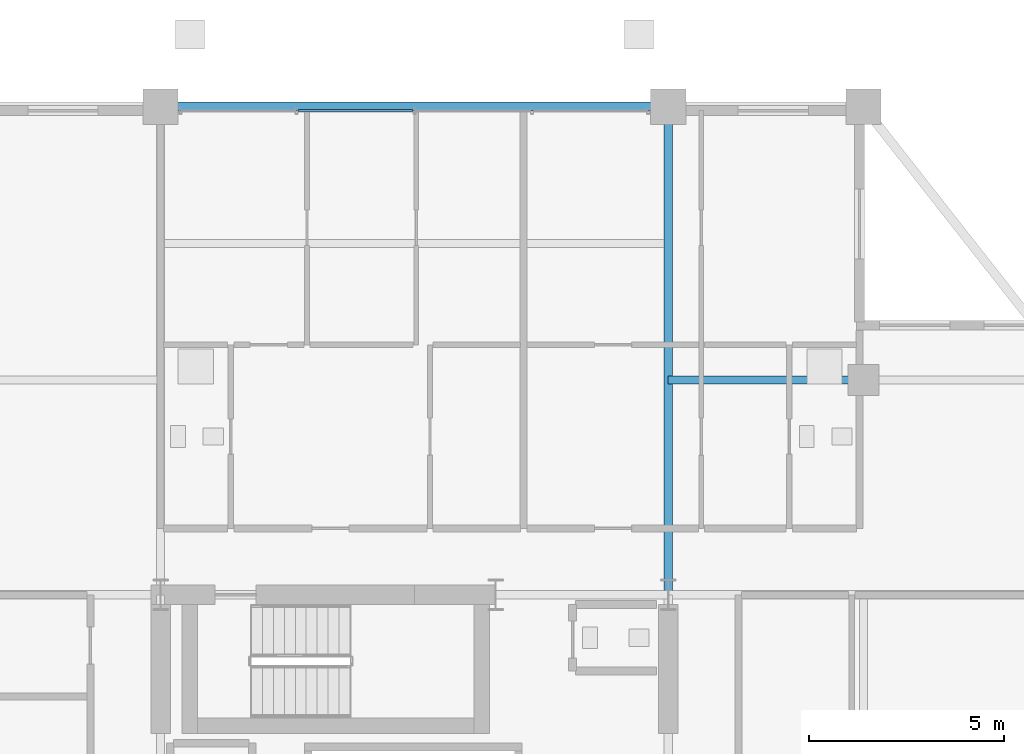
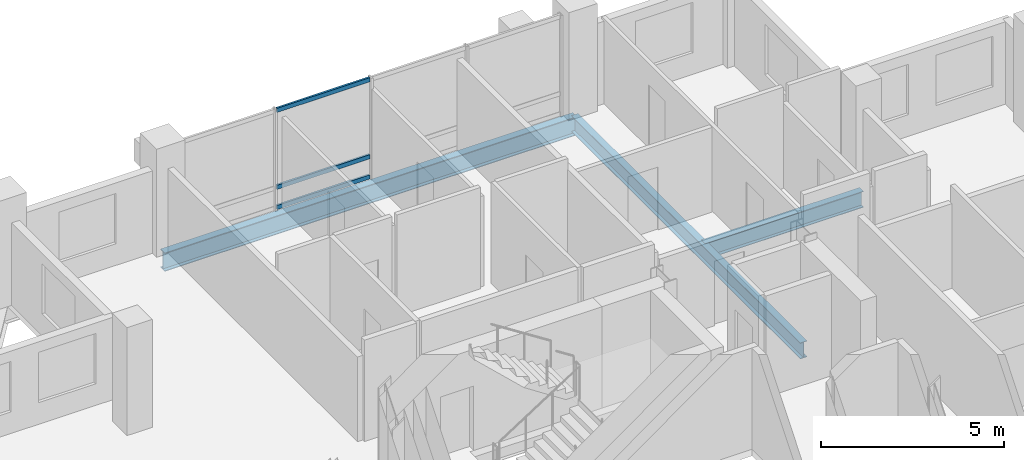
# One storey, part 13 of 21: 3 beams, 3 members, 1 element without a shape of its own.
"""IFC4 building model written with IfcOpenShell, lengths in metres."""

from ifc_helpers import new_model, si_unit, direction, frame, origin, origin_2d, place, context, subcontext, project, spatial, hollow_rectangle, i_section, extrude, material, layer, layer_set, material_profile, profile_set, type_object, element, aggregate, save


model = new_model("IFC4")

# Units and contexts
model_context = context("Model", 3, precision=1e-05, world=origin(), true_north=direction((0.0, 1.0)))
body_context = subcontext(model_context, "Body", "Model", "MODEL_VIEW")
ifc_project = project(units=[si_unit("LENGTHUNIT", "METRE"), si_unit("AREAUNIT", "SQUARE_METRE"), si_unit("VOLUMEUNIT", "CUBIC_METRE"), si_unit("PLANEANGLEUNIT", "RADIAN"), si_unit("MASSUNIT", "GRAM", prefix="KILO")], contexts=[model_context])

# Site, building, storey
site_placement = place(None, origin())
site = spatial("IfcSite", under=ifc_project, at=site_placement, CompositionType="ELEMENT")
building_placement = place(site_placement, origin())
building = spatial("IfcBuilding", under=site, at=building_placement, Name="Barlavira Tower and Art Museum", CompositionType="ELEMENT")
storey_placement = place(building_placement, frame((0.0, 0.0, 233.10009765625)))
storey = spatial("IfcBuildingStorey", under=building, at=storey_placement, Name="L60", CompositionType="ELEMENT", Elevation=233.10009765625)

# Curtain wall, members
ifc_material_1 = material(Name="Low-iron coastal laminated glass", Category="glass")
ifc_layer = layer(ifc_material_1, 0.2099609375, Name="Low-iron coastal laminated glass")
ifc_layer_set = layer_set([ifc_layer], Name="Low-iron coastal laminated glass")
curtain_wall_type = type_object("IfcCurtainWallType", Name="Pale-Metal Unitised Curtain Wall Zone 4", PredefinedType="NOTDEFINED", material=ifc_layer_set)
curtain_wall_placement = place(storey_placement, origin())
curtain_wall = element("IfcCurtainWall", 1, at=curtain_wall_placement, inside=storey, type_object=curtain_wall_type, Name="L60 Curtain Wall CW4-L60-N-B2", PredefinedType="NOTDEFINED")
ifc_material_2 = material(Name="Pale anodised aluminium", Category="aluminium")
ifc_material_profile_1 = material_profile(ifc_material_2, hollow_rectangle(XDim=0.06494140625, YDim=0.139892578125, WallThickness=0.00390625, at=origin_2d()), Name="ALU-TRAN 65x140x4")
ifc_profile_set_1 = profile_set([ifc_material_profile_1], Name="Pale anodised aluminium")
member_type = type_object("IfcMemberType", Name="Curtain Wall Pale-Metal Transom 65x140", PredefinedType="USERDEFINED", material=ifc_profile_set_1)
member_1_placement = place(storey_placement, frame((-0.044921875, 19.89990234375, 0.06982421875), z_axis=(-1.0, 0.0, 0.0), x_axis=(0.0, -1.0, 0.0)))
member_1 = element("IfcMember", 2, at=member_1_placement, type_object=member_type, Name="CW4-L60-N-B2 Transom 2.1", ObjectType="TRANSOM", PredefinedType="USERDEFINED", context=body_context, shape_type="SweptSolid", body=[
    extrude(hollow_rectangle(XDim=0.06494140625, YDim=0.139892578125, WallThickness=0.00390625, at=origin_2d()), origin(), (0.0, 0.0, 1.0), 2.925048828125),
])
member_2_placement = place(storey_placement, frame((-0.044921875, 19.89990234375, 0.743896484375), z_axis=(-1.0, 0.0, 0.0), x_axis=(0.0, -1.0, 0.0)))
member_2 = element("IfcMember", 3, at=member_2_placement, type_object=member_type, Name="CW4-L60-N-B2 Transom 2.2", ObjectType="TRANSOM", PredefinedType="USERDEFINED", context=body_context, shape_type="SweptSolid", body=[
    extrude(hollow_rectangle(XDim=0.06494140625, YDim=0.139892578125, WallThickness=0.00390625, at=origin_2d()), origin(), (0.0, 0.0, 1.0), 2.925048828125),
])
member_3_placement = place(storey_placement, frame((-0.044921875, 19.89990234375, 3.309814453125), z_axis=(-1.0, 0.0, 0.0), x_axis=(0.0, -1.0, 0.0)))
member_3 = element("IfcMember", 4, at=member_3_placement, type_object=member_type, Name="CW4-L60-N-B2 Transom 2.3", ObjectType="TRANSOM", PredefinedType="USERDEFINED", context=body_context, shape_type="SweptSolid", body=[
    extrude(hollow_rectangle(XDim=0.06494140625, YDim=0.139892578125, WallThickness=0.00390625, at=origin_2d()), origin(), (0.0, 0.0, 1.0), 2.925048828125),
])
aggregate(curtain_wall, [member_1, member_2, member_3])

# Beams
ifc_material_3 = material(Name="Steel S355", Category="steel")
ifc_material_profile_2 = material_profile(ifc_material_3, i_section(OverallWidth=0.22998046875, OverallDepth=0.616943359375, WebThickness=0.01318359375, FlangeThickness=0.022216796875, at=origin_2d()), Name="W610x140.0")
ifc_profile_set_2 = profile_set([ifc_material_profile_2], Name="Steel S355")
beam_type_1 = type_object("IfcBeamType", Name="Upper Shaft Spandrel Edge Beam W610x140 Steel S355", PredefinedType="SPANDREL", material=ifc_profile_set_2)
beam_1_placement = place(storey_placement, frame((-6.5, 20.0, -0.528564453125), z_axis=(1.0, 0.0, 0.0), x_axis=(0.0, 1.0, 0.0)))
element("IfcBeam", 5, at=beam_1_placement, inside=storey, type_object=beam_type_1, Name="L60 Spandrel 10", PredefinedType="SPANDREL", context=body_context, shape_type="SweptSolid", body=[
    extrude(i_section(OverallWidth=0.22998046875, OverallDepth=0.616943359375, WebThickness=0.01318359375, FlangeThickness=0.022216796875, at=origin_2d()), origin(), (0.0, 0.0, 1.0), 13.0),
])
ifc_material_profile_3 = material_profile(ifc_material_3, i_section(OverallWidth=0.2109375, OverallDepth=0.5390625, WebThickness=0.01171875, FlangeThickness=0.018798828125, at=origin_2d()), Name="W530x109.0")
ifc_profile_set_3 = profile_set([ifc_material_profile_3], Name="Steel S355")
beam_type_2 = type_object("IfcBeamType", Name="Zone 3-4 Primary Floor Girder W530x109 Steel S355", PredefinedType="BEAM", material=ifc_profile_set_3)
beam_2_placement = place(storey_placement, frame((6.5, 7.5, -0.489501953125), z_axis=(0.0, 1.0, 0.0), x_axis=(-1.0, 0.0, 0.0)))
element("IfcBeam", 6, at=beam_2_placement, inside=storey, type_object=beam_type_2, Name="L60 Girder R-N2", PredefinedType="BEAM", context=body_context, shape_type="SweptSolid", body=[
    extrude(i_section(OverallWidth=0.2109375, OverallDepth=0.5390625, WebThickness=0.01171875, FlangeThickness=0.018798828125, at=origin_2d()), origin(), (0.0, 0.0, 1.0), 12.5),
])
beam_3_placement = place(storey_placement, frame((6.5, 13.0, -0.489501953125), z_axis=(1.0, 0.0, 0.0), x_axis=(0.0, 1.0, 0.0)))
element("IfcBeam", 7, at=beam_3_placement, inside=storey, type_object=beam_type_2, Name="L60 Girder I-N3", PredefinedType="BEAM", context=body_context, shape_type="SweptSolid", body=[
    extrude(i_section(OverallWidth=0.2109375, OverallDepth=0.5390625, WebThickness=0.01171875, FlangeThickness=0.018798828125, at=origin_2d()), origin(), (0.0, 0.0, 1.0), 5.0),
])

save(model, "model.ifc")
